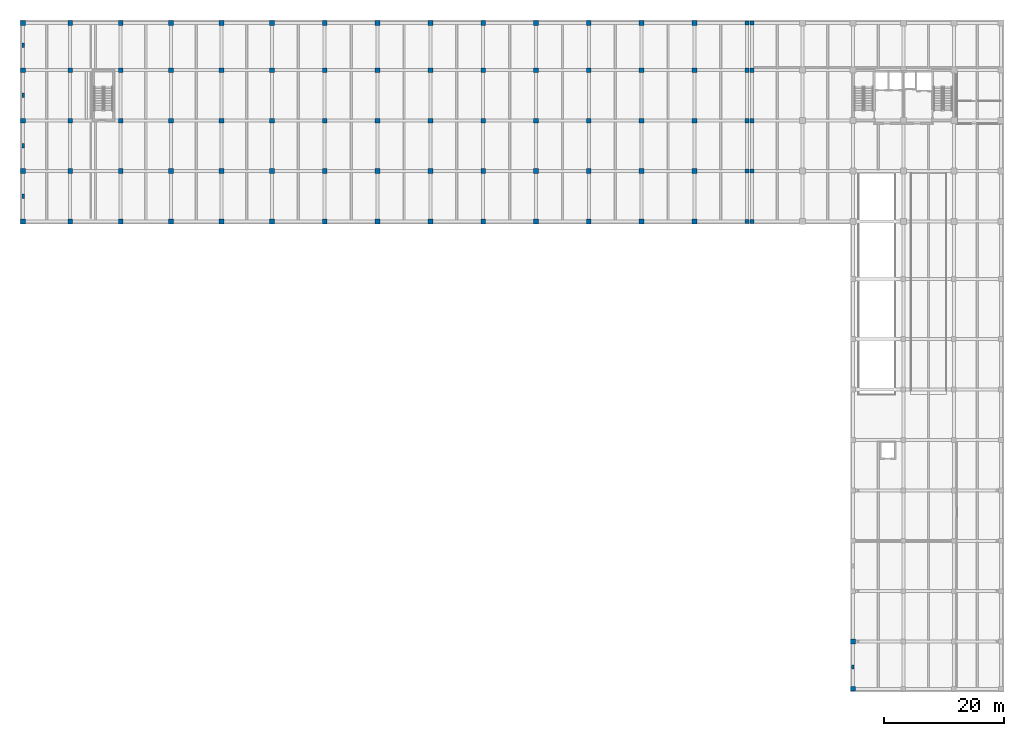
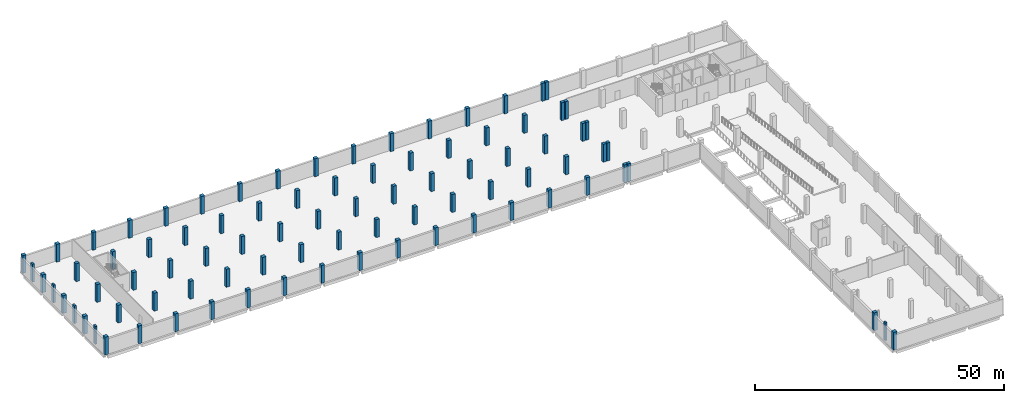
# One storey, part 1 of 17: 87 columns.
"""IFC4 building model written with IfcOpenShell, lengths in metres."""

from ifc_helpers import new_model, si_unit, direction, frame, origin, origin_2d, place, context, subcontext, project, spatial, rectangle, extrude, material, material_profile, profile_set, type_object, element, save


model = new_model("IFC4")

# Units and contexts
model_context = context("Model", 3, precision=1e-05, world=origin(), true_north=direction((0.0, 1.0)))
body_context = subcontext(model_context, "Body", "Model", "MODEL_VIEW")
ifc_project = project(units=[si_unit("LENGTHUNIT", "METRE"), si_unit("AREAUNIT", "SQUARE_METRE"), si_unit("VOLUMEUNIT", "CUBIC_METRE"), si_unit("PLANEANGLEUNIT", "RADIAN"), si_unit("MASSUNIT", "GRAM", prefix="KILO")], contexts=[model_context])

# Site, building, storey
site_placement = place(None, origin())
site = spatial("IfcSite", under=ifc_project, at=site_placement, CompositionType="ELEMENT")
building_placement = place(site_placement, origin())
building = spatial("IfcBuilding", under=site, at=building_placement, Name="Brinegate Botanical Conservatory", CompositionType="ELEMENT")
storey_placement = place(building_placement, frame((0.0, 0.0, -4.800048828125)))
storey = spatial("IfcBuildingStorey", under=building, at=storey_placement, Name="B1", CompositionType="ELEMENT", Elevation=-4.800048828125)

# Columns
ifc_material_1 = material(Name="Concrete C50/60", Category="concrete")
ifc_material_profile_1 = material_profile(ifc_material_1, rectangle(XDim=0.699951171875, YDim=0.699951171875, at=origin_2d()), Name="RC COL 700x700")
ifc_profile_set_1 = profile_set([ifc_material_profile_1], Name="Concrete C50/60")
column_type_1 = type_object("IfcColumnType", Name="Col_C-JT", PredefinedType="COLUMN", material=ifc_profile_set_1)
for number, where, z_axis, x_axis, name in (
    (1, (121.14990234375, 78.39990234375, 0.0), (0.0, 0.0, 1.0), (1.0, 0.0, 0.0), "Column C-JT B1 K-15"),
    (2, (121.14990234375, 86.800048828125, 0.0), (0.0, 0.0, 1.0), (1.0, 0.0, 0.0), "Column C-JT B1 L-15"),
    (3, (121.14990234375, 95.199951171875, 0.0), (0.0, 0.0, 1.0), (1.0, 0.0, 0.0), "Column C-JT B1 M-15"),
    (4, (121.14990234375, 103.60009765625, 0.0), (0.0, 0.0, 1.0), (1.0, 0.0, 0.0), "Column C-JT B1 N-15"),
    (5, (121.14990234375, 111.449951171875, 0.0), (0.0, 0.0, 1.0), (1.0, 0.0, 0.0), "Column C-JT B1 P-15"),
    (6, (122.0, 78.39990234375, 0.0), (0.0, 0.0, 1.0), (1.0, 0.0, 0.0), "Column C-JT B1 K-16"),
    (7, (122.0, 86.800048828125, 0.0), (0.0, 0.0, 1.0), (1.0, 0.0, 0.0), "Column C-JT B1 L-16"),
    (8, (122.0, 95.199951171875, 0.0), (0.0, 0.0, 1.0), (1.0, 0.0, 0.0), "Column C-JT B1 M-16"),
    (9, (122.0, 103.60009765625, 0.0), (0.0, 0.0, 1.0), (1.0, 0.0, 0.0), "Column C-JT B1 N-16"),
    (10, (122.0, 111.449951171875, 0.0), (0.0, 0.0, 1.0), (1.0, 0.0, 0.0), "Column C-JT B1 P-16"),
):
    element("IfcColumn", number, at=place(storey_placement, frame(where, z_axis=z_axis, x_axis=x_axis)), inside=storey, type_object=column_type_1, Name=name, PredefinedType="COLUMN", context=body_context, shape_type="SweptSolid", body=[
        extrude(rectangle(XDim=0.699951171875, YDim=0.699951171875, at=origin_2d()), origin(), (0.0, 0.0, 1.0), 4.39501953125),
    ])
ifc_material_2 = material(Name="Concrete C40/50", Category="concrete")
ifc_material_profile_2 = material_profile(ifc_material_2, rectangle(XDim=0.800048828125, YDim=0.800048828125, at=origin_2d()), Name="RC COL 800x800")
ifc_profile_set_2 = profile_set([ifc_material_profile_2], Name="Concrete C40/50")
column_type_2 = type_object("IfcColumnType", Name="Col_C-W1", PredefinedType="COLUMN", material=ifc_profile_set_2)
for number, where, z_axis, x_axis, name in (
    (11, (0.550048828125, 78.39990234375, 0.0), (0.0, 0.0, 1.0), (1.0, 0.0, 0.0), "Column C-W1 B1 K-1"),
    (12, (0.550048828125, 86.800048828125, 0.0), (0.0, 0.0, 1.0), (1.0, 0.0, 0.0), "Column C-W1 B1 L-1"),
    (13, (0.550048828125, 95.199951171875, 0.0), (0.0, 0.0, 1.0), (1.0, 0.0, 0.0), "Column C-W1 B1 M-1"),
    (14, (0.550048828125, 103.60009765625, 0.0), (0.0, 0.0, 1.0), (1.0, 0.0, 0.0), "Column C-W1 B1 N-1"),
    (15, (0.550048828125, 111.449951171875, 0.0), (0.0, 0.0, 1.0), (1.0, 0.0, 0.0), "Column C-W1 B1 P-1"),
    (16, (8.39990234375, 78.39990234375, 0.0), (0.0, 0.0, 1.0), (1.0, 0.0, 0.0), "Column C-W1 B1 K-2"),
    (17, (8.39990234375, 86.800048828125, 0.0), (0.0, 0.0, 1.0), (1.0, 0.0, 0.0), "Column C-W1 B1 L-2"),
    (18, (8.39990234375, 95.199951171875, 0.0), (0.0, 0.0, 1.0), (1.0, 0.0, 0.0), "Column C-W1 B1 M-2"),
    (19, (8.39990234375, 103.60009765625, 0.0), (0.0, 0.0, 1.0), (1.0, 0.0, 0.0), "Column C-W1 B1 N-2"),
    (20, (8.39990234375, 111.449951171875, 0.0), (0.0, 0.0, 1.0), (1.0, 0.0, 0.0), "Column C-W1 B1 P-2"),
    (21, (16.800048828125, 78.39990234375, 0.0), (0.0, 0.0, 1.0), (1.0, 0.0, 0.0), "Column C-W1 B1 K-3"),
    (22, (16.800048828125, 86.800048828125, 0.0), (0.0, 0.0, 1.0), (1.0, 0.0, 0.0), "Column C-W1 B1 L-3"),
    (23, (16.800048828125, 95.199951171875, 0.0), (0.0, 0.0, 1.0), (1.0, 0.0, 0.0), "Column C-W1 B1 M-3"),
    (24, (16.800048828125, 103.60009765625, 0.0), (0.0, 0.0, 1.0), (1.0, 0.0, 0.0), "Column C-W1 B1 N-3"),
    (25, (16.800048828125, 111.449951171875, 0.0), (0.0, 0.0, 1.0), (1.0, 0.0, 0.0), "Column C-W1 B1 P-3"),
    (26, (25.199951171875, 78.39990234375, 0.0), (0.0, 0.0, 1.0), (1.0, 0.0, 0.0), "Column C-W1 B1 K-4"),
    (27, (25.199951171875, 86.800048828125, 0.0), (0.0, 0.0, 1.0), (1.0, 0.0, 0.0), "Column C-W1 B1 L-4"),
    (28, (25.199951171875, 95.199951171875, 0.0), (0.0, 0.0, 1.0), (1.0, 0.0, 0.0), "Column C-W1 B1 M-4"),
    (29, (25.199951171875, 103.60009765625, 0.0), (0.0, 0.0, 1.0), (1.0, 0.0, 0.0), "Column C-W1 B1 N-4"),
    (30, (25.199951171875, 111.449951171875, 0.0), (0.0, 0.0, 1.0), (1.0, 0.0, 0.0), "Column C-W1 B1 P-4"),
    (31, (33.60009765625, 78.39990234375, 0.0), (0.0, 0.0, 1.0), (1.0, 0.0, 0.0), "Column C-W1 B1 K-5"),
    (32, (33.60009765625, 86.800048828125, 0.0), (0.0, 0.0, 1.0), (1.0, 0.0, 0.0), "Column C-W1 B1 L-5"),
    (33, (33.60009765625, 95.199951171875, 0.0), (0.0, 0.0, 1.0), (1.0, 0.0, 0.0), "Column C-W1 B1 M-5"),
    (34, (33.60009765625, 103.60009765625, 0.0), (0.0, 0.0, 1.0), (1.0, 0.0, 0.0), "Column C-W1 B1 N-5"),
    (35, (33.60009765625, 111.449951171875, 0.0), (0.0, 0.0, 1.0), (1.0, 0.0, 0.0), "Column C-W1 B1 P-5"),
    (36, (42.0, 78.39990234375, 0.0), (0.0, 0.0, 1.0), (1.0, 0.0, 0.0), "Column C-W1 B1 K-6"),
    (37, (42.0, 86.800048828125, 0.0), (0.0, 0.0, 1.0), (1.0, 0.0, 0.0), "Column C-W1 B1 L-6"),
    (38, (42.0, 95.199951171875, 0.0), (0.0, 0.0, 1.0), (1.0, 0.0, 0.0), "Column C-W1 B1 M-6"),
    (39, (42.0, 103.60009765625, 0.0), (0.0, 0.0, 1.0), (1.0, 0.0, 0.0), "Column C-W1 B1 N-6"),
    (40, (42.0, 111.449951171875, 0.0), (0.0, 0.0, 1.0), (1.0, 0.0, 0.0), "Column C-W1 B1 P-6"),
    (41, (50.800048828125, 78.39990234375, 0.0), (0.0, 0.0, 1.0), (1.0, 0.0, 0.0), "Column C-W1 B1 K-7"),
    (42, (50.800048828125, 86.800048828125, 0.0), (0.0, 0.0, 1.0), (1.0, 0.0, 0.0), "Column C-W1 B1 L-7"),
    (43, (50.800048828125, 95.199951171875, 0.0), (0.0, 0.0, 1.0), (1.0, 0.0, 0.0), "Column C-W1 B1 M-7"),
    (44, (50.800048828125, 103.60009765625, 0.0), (0.0, 0.0, 1.0), (1.0, 0.0, 0.0), "Column C-W1 B1 N-7"),
    (45, (50.800048828125, 111.449951171875, 0.0), (0.0, 0.0, 1.0), (1.0, 0.0, 0.0), "Column C-W1 B1 P-7"),
    (46, (59.60009765625, 78.39990234375, 0.0), (0.0, 0.0, 1.0), (1.0, 0.0, 0.0), "Column C-W1 B1 K-8"),
    (47, (59.60009765625, 86.800048828125, 0.0), (0.0, 0.0, 1.0), (1.0, 0.0, 0.0), "Column C-W1 B1 L-8"),
    (48, (59.60009765625, 95.199951171875, 0.0), (0.0, 0.0, 1.0), (1.0, 0.0, 0.0), "Column C-W1 B1 M-8"),
    (49, (59.60009765625, 103.60009765625, 0.0), (0.0, 0.0, 1.0), (1.0, 0.0, 0.0), "Column C-W1 B1 N-8"),
    (50, (59.60009765625, 111.449951171875, 0.0), (0.0, 0.0, 1.0), (1.0, 0.0, 0.0), "Column C-W1 B1 P-8"),
    (51, (68.39990234375, 78.39990234375, 0.0), (0.0, 0.0, 1.0), (1.0, 0.0, 0.0), "Column C-W1 B1 K-9"),
    (52, (68.39990234375, 86.800048828125, 0.0), (0.0, 0.0, 1.0), (1.0, 0.0, 0.0), "Column C-W1 B1 L-9"),
    (53, (68.39990234375, 95.199951171875, 0.0), (0.0, 0.0, 1.0), (1.0, 0.0, 0.0), "Column C-W1 B1 M-9"),
    (54, (68.39990234375, 103.60009765625, 0.0), (0.0, 0.0, 1.0), (1.0, 0.0, 0.0), "Column C-W1 B1 N-9"),
    (55, (68.39990234375, 111.449951171875, 0.0), (0.0, 0.0, 1.0), (1.0, 0.0, 0.0), "Column C-W1 B1 P-9"),
    (56, (77.199951171875, 78.39990234375, 0.0), (0.0, 0.0, 1.0), (1.0, 0.0, 0.0), "Column C-W1 B1 K-10"),
    (57, (77.199951171875, 86.800048828125, 0.0), (0.0, 0.0, 1.0), (1.0, 0.0, 0.0), "Column C-W1 B1 L-10"),
    (58, (77.199951171875, 95.199951171875, 0.0), (0.0, 0.0, 1.0), (1.0, 0.0, 0.0), "Column C-W1 B1 M-10"),
    (59, (77.199951171875, 103.60009765625, 0.0), (0.0, 0.0, 1.0), (1.0, 0.0, 0.0), "Column C-W1 B1 N-10"),
    (60, (77.199951171875, 111.449951171875, 0.0), (0.0, 0.0, 1.0), (1.0, 0.0, 0.0), "Column C-W1 B1 P-10"),
    (61, (86.0, 78.39990234375, 0.0), (0.0, 0.0, 1.0), (1.0, 0.0, 0.0), "Column C-W1 B1 K-11"),
    (62, (86.0, 86.800048828125, 0.0), (0.0, 0.0, 1.0), (1.0, 0.0, 0.0), "Column C-W1 B1 L-11"),
    (63, (86.0, 95.199951171875, 0.0), (0.0, 0.0, 1.0), (1.0, 0.0, 0.0), "Column C-W1 B1 M-11"),
    (64, (86.0, 103.60009765625, 0.0), (0.0, 0.0, 1.0), (1.0, 0.0, 0.0), "Column C-W1 B1 N-11"),
    (65, (86.0, 111.449951171875, 0.0), (0.0, 0.0, 1.0), (1.0, 0.0, 0.0), "Column C-W1 B1 P-11"),
    (66, (94.800048828125, 78.39990234375, 0.0), (0.0, 0.0, 1.0), (1.0, 0.0, 0.0), "Column C-W1 B1 K-12"),
    (67, (94.800048828125, 86.800048828125, 0.0), (0.0, 0.0, 1.0), (1.0, 0.0, 0.0), "Column C-W1 B1 L-12"),
    (68, (94.800048828125, 95.199951171875, 0.0), (0.0, 0.0, 1.0), (1.0, 0.0, 0.0), "Column C-W1 B1 M-12"),
    (69, (94.800048828125, 103.60009765625, 0.0), (0.0, 0.0, 1.0), (1.0, 0.0, 0.0), "Column C-W1 B1 N-12"),
    (70, (94.800048828125, 111.449951171875, 0.0), (0.0, 0.0, 1.0), (1.0, 0.0, 0.0), "Column C-W1 B1 P-12"),
    (71, (103.60009765625, 78.39990234375, 0.0), (0.0, 0.0, 1.0), (1.0, 0.0, 0.0), "Column C-W1 B1 K-13"),
    (72, (103.60009765625, 86.800048828125, 0.0), (0.0, 0.0, 1.0), (1.0, 0.0, 0.0), "Column C-W1 B1 L-13"),
    (73, (103.60009765625, 95.199951171875, 0.0), (0.0, 0.0, 1.0), (1.0, 0.0, 0.0), "Column C-W1 B1 M-13"),
    (74, (103.60009765625, 103.60009765625, 0.0), (0.0, 0.0, 1.0), (1.0, 0.0, 0.0), "Column C-W1 B1 N-13"),
    (75, (103.60009765625, 111.449951171875, 0.0), (0.0, 0.0, 1.0), (1.0, 0.0, 0.0), "Column C-W1 B1 P-13"),
    (76, (112.39990234375, 78.39990234375, 0.0), (0.0, 0.0, 1.0), (1.0, 0.0, 0.0), "Column C-W1 B1 K-14"),
    (77, (112.39990234375, 86.800048828125, 0.0), (0.0, 0.0, 1.0), (1.0, 0.0, 0.0), "Column C-W1 B1 L-14"),
    (78, (112.39990234375, 95.199951171875, 0.0), (0.0, 0.0, 1.0), (1.0, 0.0, 0.0), "Column C-W1 B1 M-14"),
    (79, (112.39990234375, 103.60009765625, 0.0), (0.0, 0.0, 1.0), (1.0, 0.0, 0.0), "Column C-W1 B1 N-14"),
    (80, (112.39990234375, 111.449951171875, 0.0), (0.0, 0.0, 1.0), (1.0, 0.0, 0.0), "Column C-W1 B1 P-14"),
    (81, (138.800048828125, 0.550048828125, 0.0), (0.0, 0.0, 1.0), (1.0, 0.0, 0.0), "Column C-W1 B1 A-18"),
    (82, (138.800048828125, 8.39990234375, 0.0), (0.0, 0.0, 1.0), (1.0, 0.0, 0.0), "Column C-W1 B1 B-18"),
):
    element("IfcColumn", number, at=place(storey_placement, frame(where, z_axis=z_axis, x_axis=x_axis)), inside=storey, type_object=column_type_2, Name=name, PredefinedType="COLUMN", context=body_context, shape_type="SweptSolid", body=[
        extrude(rectangle(XDim=0.800048828125, YDim=0.800048828125, at=origin_2d()), origin(), (0.0, 0.0, 1.0), 4.39501953125),
    ])
ifc_material_profile_3 = material_profile(ifc_material_1, rectangle(XDim=0.449951171875, YDim=0.75, at=origin_2d()), Name="RC PILASTER 450x750")
ifc_profile_set_3 = profile_set([ifc_material_profile_3], Name="Concrete C50/60")
column_type_3 = type_object("IfcColumnType", Name="Col_PL-W1", PredefinedType="PILASTER", material=ifc_profile_set_3)
for number, where, z_axis, x_axis, name in (
    (83, (0.550048828125, 82.60009765625, 0.0), (0.0, 0.0, 1.0), (1.0, 0.0, 0.0), "Warehouse pilaster PL-W1 B1 PL-W-V1A"),
    (84, (0.550048828125, 91.0, 0.0), (0.0, 0.0, 1.0), (1.0, 0.0, 0.0), "Warehouse pilaster PL-W1 B1 PL-W-V1B"),
    (85, (0.550048828125, 99.39990234375, 0.0), (0.0, 0.0, 1.0), (1.0, 0.0, 0.0), "Warehouse pilaster PL-W1 B1 PL-W-V1C"),
    (86, (0.550048828125, 107.800048828125, 0.0), (0.0, 0.0, 1.0), (1.0, 0.0, 0.0), "Warehouse pilaster PL-W1 B1 PL-W-V1D"),
):
    element("IfcColumn", number, at=place(storey_placement, frame(where, z_axis=z_axis, x_axis=x_axis)), inside=storey, type_object=column_type_3, Name=name, PredefinedType="PILASTER", context=body_context, shape_type="SweptSolid", body=[
        extrude(rectangle(XDim=0.449951171875, YDim=0.75, at=origin_2d()), origin(), (0.0, 0.0, 1.0), 4.39501953125),
    ])
ifc_material_profile_4 = material_profile(ifc_material_2, rectangle(XDim=0.39990234375, YDim=0.64990234375, at=origin_2d()), Name="RC PILASTER 400x650")
ifc_profile_set_4 = profile_set([ifc_material_profile_4], Name="Concrete C40/50")
column_type_4 = type_object("IfcColumnType", Name="Col_PL-W2", PredefinedType="PILASTER", material=ifc_profile_set_4)
column_placement = place(storey_placement, frame((138.800048828125, 4.199951171875, 0.0), z_axis=(0.0, 0.0, 1.0), x_axis=(1.0, 0.0, 0.0)))
element("IfcColumn", 87, at=column_placement, inside=storey, type_object=column_type_4, Name="Warehouse pilaster PL-W2 B1 PL-W-V2A", PredefinedType="PILASTER", context=body_context, shape_type="SweptSolid", body=[
    extrude(rectangle(XDim=0.39990234375, YDim=0.64990234375, at=origin_2d()), origin(), (0.0, 0.0, 1.0), 4.39501953125),
])

save(model, "model.ifc")
